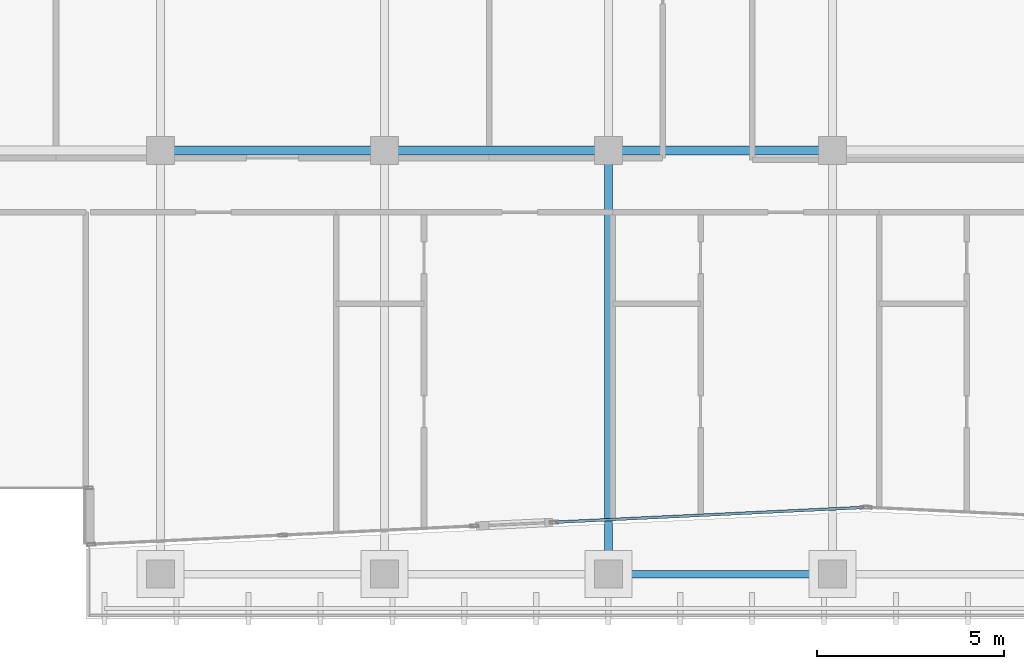
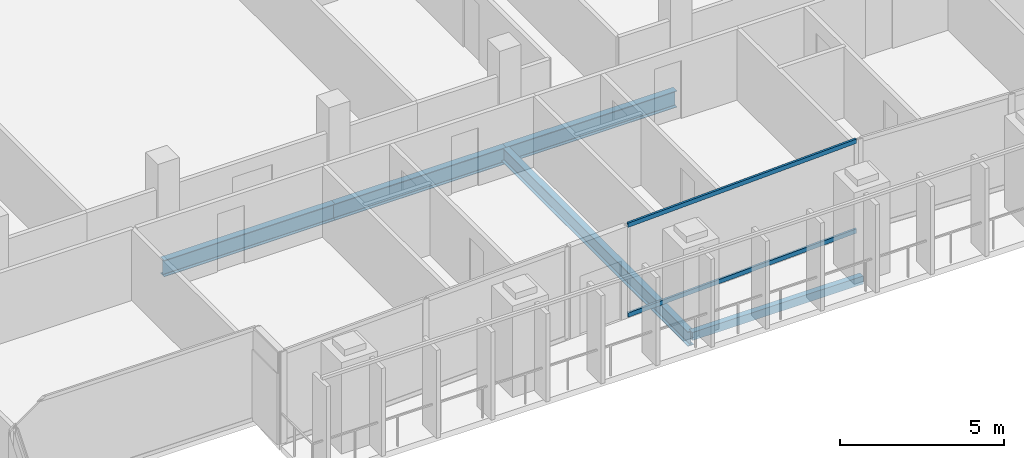
# One storey, part 7 of 31: 5 beams, 2 members, 1 element without a shape of its own.
"""IFC4 building model written with IfcOpenShell, lengths in metres."""

from ifc_helpers import new_model, si_unit, direction, frame, origin, origin_2d, place, context, subcontext, project, spatial, hollow_rectangle, i_section, extrude, material, layer, layer_set, material_profile, profile_set, type_object, element, aggregate, save


model = new_model("IFC4")

# Units and contexts
model_context = context("Model", 3, precision=1e-05, world=origin(), true_north=direction((0.0, 1.0)))
body_context = subcontext(model_context, "Body", "Model", "MODEL_VIEW")
ifc_project = project(units=[si_unit("LENGTHUNIT", "METRE"), si_unit("AREAUNIT", "SQUARE_METRE"), si_unit("VOLUMEUNIT", "CUBIC_METRE"), si_unit("PLANEANGLEUNIT", "RADIAN"), si_unit("MASSUNIT", "GRAM", prefix="KILO")], contexts=[model_context])

# Site, building, storey
site_placement = place(None, origin())
site = spatial("IfcSite", under=ifc_project, at=site_placement, CompositionType="ELEMENT")
building_placement = place(site_placement, origin())
building = spatial("IfcBuilding", under=site, at=building_placement, Name="Tanjung Sevakor Pilgrim Tower", CompositionType="ELEMENT")
storey_placement = place(building_placement, frame((0.0, 0.0, 208.22998046875)))
storey = spatial("IfcBuildingStorey", under=building, at=storey_placement, Name="L58", CompositionType="ELEMENT", Elevation=208.22998046875)

# Beams
ifc_material_1 = material(Name="Steel S355J2", Category="steel")
ifc_material_profile_1 = material_profile(ifc_material_1, i_section(OverallWidth=0.22900390625, OverallDepth=0.6123046875, WebThickness=0.011962890625, FlangeThickness=0.01953125, FilletRadius=0.0126953125, at=origin_2d()))
ifc_profile_set_1 = profile_set([ifc_material_profile_1], Name="Steel S355J2")
beam_type_1 = type_object("IfcBeamType", Name="BM-B-G4-UB_610x229x125", PredefinedType="BEAM", material=ifc_profile_set_1)
for number, where, z_axis, x_axis, name in (
    (1, (54.0, 24.60009765625, -0.526123046875), (1.0, 0.0, 0.0), (0.0, 1.0, 0.0), "L58 Primary Floor Girder MAIN Y246-05"),
    (2, (60.0, 24.60009765625, -0.526123046875), (1.0, 0.0, 0.0), (0.0, 1.0, 0.0), "L58 Primary Floor Girder MAIN Y246-06"),
    (3, (66.0, 24.60009765625, -0.526123046875), (1.0, 0.0, 0.0), (0.0, 1.0, 0.0), "L58 Primary Floor Girder MAIN Y246-07"),
):
    element("IfcBeam", number, at=place(storey_placement, frame(where, z_axis=z_axis, x_axis=x_axis)), inside=storey, type_object=beam_type_1, Name=name, PredefinedType="BEAM", context=body_context, shape_type="SweptSolid", body=[
        extrude(i_section(OverallWidth=0.22900390625, OverallDepth=0.6123046875, WebThickness=0.011962890625, FlangeThickness=0.01953125, FilletRadius=0.0126953125, at=origin_2d()), origin(), (0.0, 0.0, 1.0), 6.0),
    ])
ifc_material_2 = material(Name="Steel S355J2", Category="steel")
ifc_material_profile_2 = material_profile(ifc_material_2, i_section(OverallWidth=0.2119140625, OverallDepth=0.54443359375, WebThickness=0.0126953125, FlangeThickness=0.021240234375, FilletRadius=0.0126953125, at=origin_2d()))
ifc_profile_set_2 = profile_set([ifc_material_profile_2], Name="Steel S355J2")
beam_type_2 = type_object("IfcBeamType", Name="BM-B-G5-UB_533x210x122", PredefinedType="BEAM", material=ifc_profile_set_2)
beam_1_placement = place(storey_placement, frame((66.0, 13.25, -0.4921875), z_axis=(0.0, 1.0, 0.0), x_axis=(-1.0, 0.0, 0.0)))
element("IfcBeam", 4, at=beam_1_placement, inside=storey, type_object=beam_type_2, Name="L58 MAIN Girder 015", PredefinedType="BEAM", context=body_context, shape_type="SweptSolid", body=[
    extrude(i_section(OverallWidth=0.2119140625, OverallDepth=0.54443359375, WebThickness=0.0126953125, FlangeThickness=0.021240234375, FilletRadius=0.0126953125, at=origin_2d()), origin(), (0.0, 0.0, 1.0), 11.35009765625),
])
ifc_material_3 = material(Name="Steel S355J2", Category="steel")
ifc_material_profile_3 = material_profile(ifc_material_3, hollow_rectangle(XDim=0.199951171875, YDim=0.300048828125, WallThickness=0.012451171875, at=origin_2d()))
ifc_profile_set_3 = profile_set([ifc_material_profile_3], Name="Steel S355J2")
beam_type_3 = type_object("IfcBeamType", Name="BM-B-SP3-RHS_300x200x12.5", PredefinedType="SPANDREL", material=ifc_profile_set_3)
beam_2_placement = place(storey_placement, frame((66.0, 13.25, -0.369873046875), z_axis=(1.0, 0.0, 0.0), x_axis=(0.0, 1.0, 0.0)))
element("IfcBeam", 5, at=beam_2_placement, inside=storey, type_object=beam_type_3, Name="L58 Spandrel MAIN S-09", PredefinedType="SPANDREL", context=body_context, shape_type="SweptSolid", body=[
    extrude(hollow_rectangle(XDim=0.199951171875, YDim=0.300048828125, WallThickness=0.012451171875, at=origin_2d()), origin(), (0.0, 0.0, 1.0), 6.0),
])

# Curtain wall, members
ifc_material_4 = material(Name="Aluminium 6063-T6 and Low-E Glass", Category="aluminium")
ifc_layer = layer(ifc_material_4, 0.199951171875)
ifc_layer_set = layer_set([ifc_layer], Name="CW-SYS-PRAY")
curtain_wall_type = type_object("IfcCurtainWallType", Name="CW-SYS-PRAY", PredefinedType="NOTDEFINED", material=ifc_layer_set)
curtain_wall_placement = place(storey_placement, origin())
curtain_wall = element("IfcCurtainWall", 6, at=curtain_wall_placement, inside=storey, type_object=curtain_wall_type, Name="L58 Curtain Wall CW-PRY-L58-10B", PredefinedType="NOTDEFINED")
ifc_material_5 = material(Name="Aluminium 6063-T6", Category="aluminium")
ifc_material_profile_4 = material_profile(ifc_material_5, hollow_rectangle(XDim=0.074951171875, YDim=0.159912109375, WallThickness=0.00439453125, at=origin_2d()))
ifc_profile_set_4 = profile_set([ifc_material_profile_4], Name="Aluminium 6063-T6")
member_type = type_object("IfcMemberType", Name="TYPE-CWT-2", PredefinedType="USERDEFINED", material=ifc_profile_set_4)
member_1_placement = place(storey_placement, frame((64.5771484375, 14.641845703125, 0.03759765625), z_axis=(0.998856535964, 0.04780816418, 0.0), x_axis=(-0.04780816418, 0.998856535964, 0.0)))
member_1 = element("IfcMember", 7, at=member_1_placement, type_object=member_type, Name="CW-PRY transom 1.1", ObjectType="TRANSOM", PredefinedType="USERDEFINED", context=body_context, shape_type="SweptSolid", body=[
    extrude(hollow_rectangle(XDim=0.074951171875, YDim=0.159912109375, WallThickness=0.00439453125, at=origin_2d()), origin(), (0.0, 0.0, 1.0), 8.257568359375),
])
member_2_placement = place(storey_placement, frame((64.5771484375, 14.641845703125, 3.37255859375), z_axis=(0.998856535964, 0.04780816418, 0.0), x_axis=(-0.04780816418, 0.998856535964, 0.0)))
member_2 = element("IfcMember", 8, at=member_2_placement, type_object=member_type, Name="CW-PRY transom 1.2", ObjectType="TRANSOM", PredefinedType="USERDEFINED", context=body_context, shape_type="SweptSolid", body=[
    extrude(hollow_rectangle(XDim=0.074951171875, YDim=0.159912109375, WallThickness=0.00439453125, at=origin_2d()), origin(), (0.0, 0.0, 1.0), 8.257568359375),
])
aggregate(curtain_wall, [member_1, member_2])

save(model, "model.ifc")
